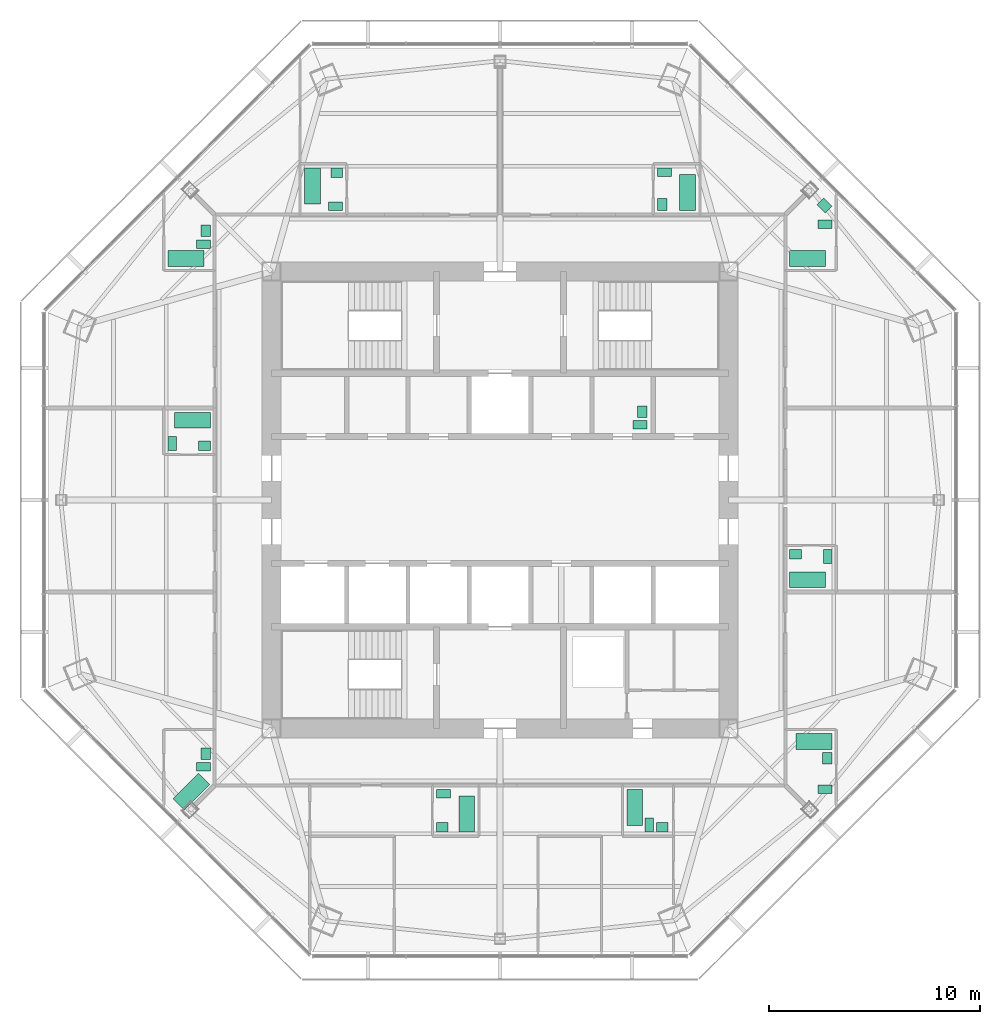
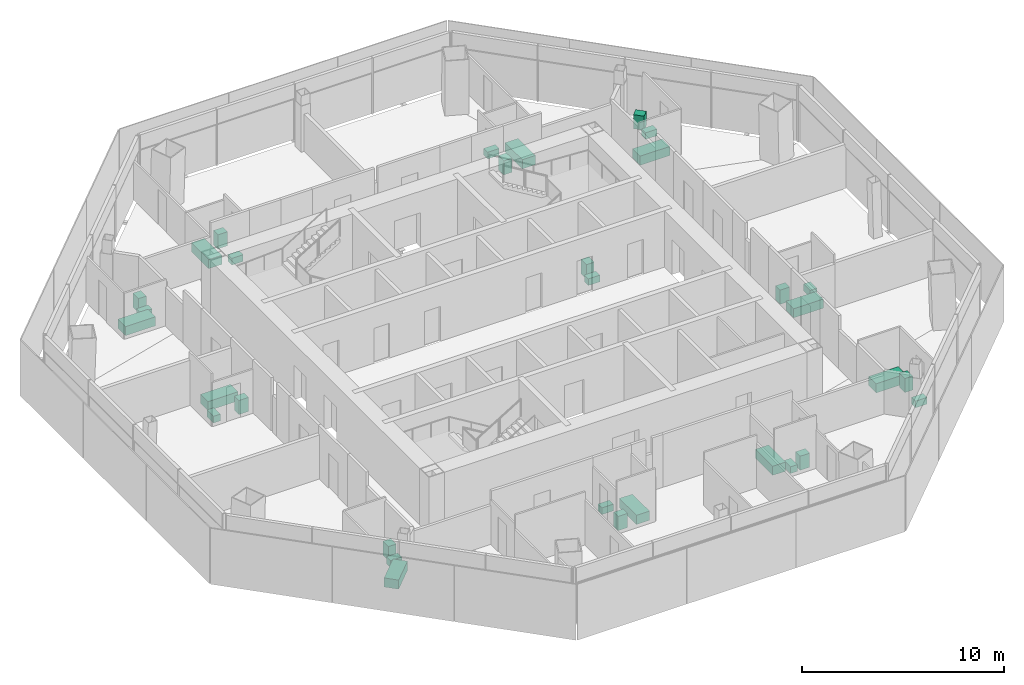
# One storey, part 15 of 15: 32 sanitary terminals.
"""IFC4 building model written with IfcOpenShell, lengths in metres."""

from ifc_helpers import new_model, si_unit, direction, frame, origin, origin_2d, place, context, subcontext, project, spatial, rectangle, extrude, material, type_object, element, save


model = new_model("IFC4")

# Units and contexts
model_context = context("Model", 3, precision=1e-05, world=origin(), true_north=direction((0.0, 1.0)))
body_context = subcontext(model_context, "Body", "Model", "MODEL_VIEW")
ifc_project = project(units=[si_unit("LENGTHUNIT", "METRE"), si_unit("AREAUNIT", "SQUARE_METRE"), si_unit("VOLUMEUNIT", "CUBIC_METRE"), si_unit("PLANEANGLEUNIT", "RADIAN"), si_unit("MASSUNIT", "GRAM", prefix="KILO")], contexts=[model_context])

# Site, building, storey
site_placement = place(None, origin())
site = spatial("IfcSite", under=ifc_project, at=site_placement, CompositionType="ELEMENT")
building_placement = place(site_placement, origin())
building = spatial("IfcBuilding", under=site, at=building_placement, Name="Mashrafa Tower", CompositionType="ELEMENT")
storey_placement = place(building_placement, frame((0.0, 0.0, 227.800048828125)))
storey = spatial("IfcBuildingStorey", under=building, at=storey_placement, Name="L53", CompositionType="ELEMENT", Elevation=227.800048828125)

# Sanitary terminals
ifc_material_1 = material(Name="Enamelled steel", Category="steel")
sanitary_terminal_type_1 = type_object("IfcSanitaryTerminalType", Name="Bath 1700 x 750", PredefinedType="BATH", material=ifc_material_1)
for number, where, z_axis, x_axis, name in (
    (1, (14.85009765625, -11.425048828125, 0.0), (0.0, 0.0, 1.0), (-1.0, 0.0, 0.0), "Bath Apartment 5301 Bathroom"),
    (2, (14.550048828125, -3.77490234375, 0.0), (0.0, 0.0, 1.0), (1.0, 0.0, 0.0), "Bath Apartment 5302 Bathroom"),
    (3, (14.550048828125, 11.425048828125, 0.0), (0.0, 0.0, 1.0), (1.0, 0.0, 0.0), "Bath Apartment 5303 Bathroom"),
    (4, (8.875, 14.550048828125, 0.0), (0.0, 0.0, 1.0), (0.0, 1.0, 0.0), "Bath Apartment 5304 Bathroom"),
    (5, (-8.875, 14.85009765625, 0.0), (0.0, 0.0, 1.0), (0.0, -1.0, 0.0), "Bath Apartment 5305 Bathroom"),
    (6, (-14.85009765625, 11.425048828125, 0.0), (0.0, 0.0, 1.0), (1.0, 0.0, 0.0), "Bath Apartment 5306 Bathroom"),
    (7, (-14.550048828125, 3.77490234375, 0.0), (0.0, 0.0, 1.0), (-1.0, 0.0, 0.0), "Bath Apartment 5307 Bathroom"),
    (8, (-14.5986328125, -13.785400390625, 0.0), (0.0, 0.0, 1.0), (0.707106781187, 0.707106781187, 0.0), "Bath Apartment 5308 Bathroom"),
    (9, (-1.574951171875, -14.85009765625, 0.0), (0.0, 0.0, 1.0), (0.0, 1.0, 0.0), "Bath Apartment 5309 Bathroom"),
    (10, (6.375, -14.550048828125, 0.0), (0.0, 0.0, 1.0), (0.0, -1.0, 0.0), "Bath Apartment 5309 En-suite Bathroom"),
):
    element("IfcSanitaryTerminal", number, at=place(storey_placement, frame(where, z_axis=z_axis, x_axis=x_axis)), inside=storey, type_object=sanitary_terminal_type_1, Name=name, PredefinedType="BATH", context=body_context, shape_type="SweptSolid", body=[
        extrude(rectangle(XDim=1.699951171875, YDim=0.75, at=origin_2d()), origin(), (0.0, 0.0, 1.0), 0.550048828125),
    ])
ifc_material_2 = material(Name="Vitreous china")
sanitary_terminal_type_2 = type_object("IfcSanitaryTerminalType", Name="Toilet pan 400 x 650", PredefinedType="TOILETPAN", material=ifc_material_2)
for number, where, z_axis, x_axis, name in (
    (11, (6.625, 3.550048828125, 0.0), (0.0, 0.0, 1.0), (0.0, 1.0, 0.0), "Toilet pan Staff WC L53"),
    (12, (15.375, -13.686279296875, 0.0), (0.0, 0.0, 1.0), (0.0, 1.0, 0.0), "Toilet pan Apartment 5301 Bathroom"),
    (13, (15.5, -2.675048828125, 0.0), (0.0, 0.0, 1.0), (-1.0, 0.0, 0.0), "Toilet pan Apartment 5302 Bathroom"),
    (14, (15.375, 13.050048828125, 0.0), (0.0, 0.0, 1.0), (0.0, 1.0, 0.0), "Toilet pan Apartment 5303 Bathroom"),
    (15, (7.77490234375, 15.5, 0.0), (0.0, 0.0, 1.0), (0.0, -1.0, 0.0), "Toilet pan Apartment 5304 Bathroom"),
    (16, (-7.77490234375, 13.89990234375, 0.0), (0.0, 0.0, 1.0), (0.0, 1.0, 0.0), "Toilet pan Apartment 5305 Bathroom"),
    (17, (-14.02490234375, 12.10009765625, 0.0), (0.0, 0.0, 1.0), (0.0, 1.0, 0.0), "Toilet pan Apartment 5306 Bathroom"),
    (18, (-15.5, 2.675048828125, 0.0), (0.0, 0.0, 1.0), (1.0, 0.0, 0.0), "Toilet pan Apartment 5307 Bathroom"),
    (19, (-14.02490234375, -12.6171875, 0.0), (0.0, 0.0, 1.0), (0.0, 1.0, 0.0), "Toilet pan Apartment 5308 Bathroom"),
    (20, (-2.675048828125, -13.89990234375, 0.0), (0.0, 0.0, 1.0), (0.0, -1.0, 0.0), "Toilet pan Apartment 5309 Bathroom"),
    (21, (7.050048828125, -15.375, 0.0), (0.0, 0.0, 1.0), (1.0, 0.0, 0.0), "Toilet pan Apartment 5309 En-suite Bathroom"),
):
    element("IfcSanitaryTerminal", number, at=place(storey_placement, frame(where, z_axis=z_axis, x_axis=x_axis)), inside=storey, type_object=sanitary_terminal_type_2, Name=name, PredefinedType="TOILETPAN", context=body_context, shape_type="SweptSolid", body=[
        extrude(rectangle(XDim=0.39990234375, YDim=0.64990234375, at=origin_2d()), origin(), (0.0, 0.0, 1.0), 0.39990234375),
    ])
ifc_material_3 = material(Name="Vitreous china")
sanitary_terminal_type_3 = type_object("IfcSanitaryTerminalType", Name="Wash basin 550 x 450", PredefinedType="WASHHANDBASIN", material=ifc_material_3)
for number, where, z_axis, x_axis, name in (
    (22, (6.72509765625, 4.175048828125, 0.0), (0.0, 0.0, 1.0), (0.0, 1.0, 0.0), "Wash basin Staff WC L53"),
    (23, (15.47509765625, -12.211181640625, 0.0), (0.0, 0.0, 1.0), (0.0, 1.0, 0.0), "Wash basin Apartment 5301 Bathroom"),
    (24, (13.97509765625, -2.574951171875, 0.0), (0.0, 0.0, 1.0), (-1.0, 0.0, 0.0), "Wash basin Apartment 5302 Bathroom"),
    (25, (15.346435546875, 13.92138671875, 0.0), (0.0, 0.0, 1.0), (-0.707106781187, 0.707106781187, 0.0), "Wash basin Apartment 5303 Bathroom"),
    (26, (7.675048828125, 13.97509765625, 0.0), (0.0, 0.0, 1.0), (0.0, -1.0, 0.0), "Wash basin Apartment 5304 Bathroom"),
    (27, (-7.72509765625, 15.47509765625, 0.0), (0.0, 0.0, 1.0), (-1.0, 0.0, 0.0), "Wash basin Apartment 5305 Bathroom"),
    (28, (-13.925048828125, 12.72509765625, 0.0), (0.0, 0.0, 1.0), (0.0, 1.0, 0.0), "Wash basin Apartment 5306 Bathroom"),
    (29, (-13.97509765625, 2.574951171875, 0.0), (0.0, 0.0, 1.0), (1.0, 0.0, 0.0), "Wash basin Apartment 5307 Bathroom"),
    (30, (-13.925048828125, -11.9921875, 0.0), (0.0, 0.0, 1.0), (0.0, 1.0, 0.0), "Wash basin Apartment 5308 Bathroom"),
    (31, (-2.72509765625, -15.47509765625, 0.0), (0.0, 0.0, 1.0), (1.0, 0.0, 0.0), "Wash basin Apartment 5309 Bathroom"),
    (32, (7.675048828125, -15.47509765625, 0.0), (0.0, 0.0, 1.0), (1.0, 0.0, 0.0), "Wash basin Apartment 5309 En-suite Bathroom"),
):
    element("IfcSanitaryTerminal", number, at=place(storey_placement, frame(where, z_axis=z_axis, x_axis=x_axis)), inside=storey, type_object=sanitary_terminal_type_3, Name=name, PredefinedType="WASHHANDBASIN", context=body_context, shape_type="SweptSolid", body=[
        extrude(rectangle(XDim=0.550048828125, YDim=0.449951171875, at=origin_2d()), origin(), (0.0, 0.0, 1.0), 0.85009765625),
    ])

save(model, "model.ifc")
